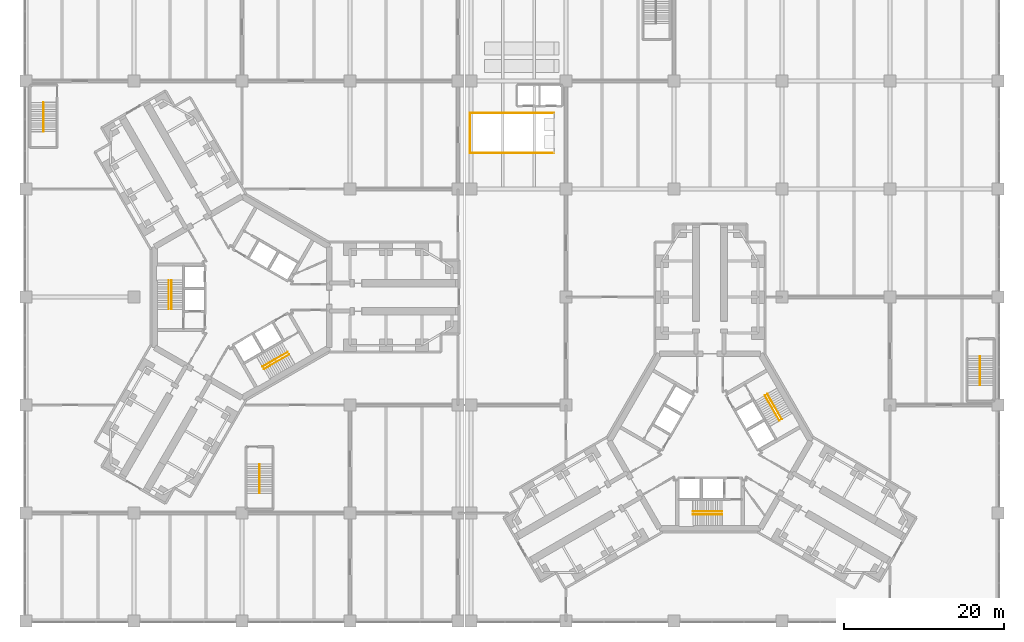
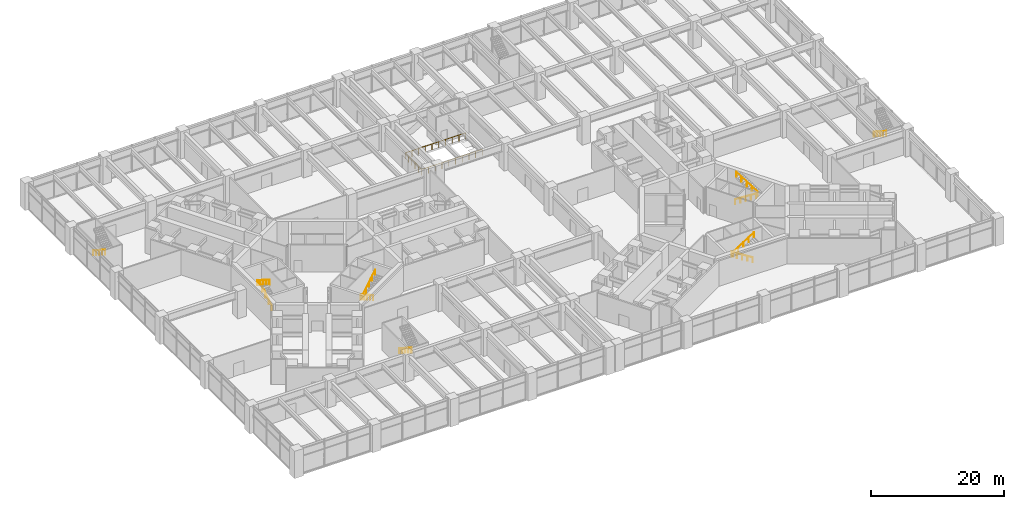
# One storey, part 30 of 32: 12 railings.
"""IFC4 building model written with IfcOpenShell, lengths in metres."""

from ifc_helpers import new_model, si_unit, direction, frame, origin, origin_2d, place, context, subcontext, project, spatial, circle, extrude, material, type_object, element, save


model = new_model("IFC4")

# Units and contexts
model_context = context("Model", 3, precision=1e-05, world=origin(), true_north=direction((0.0, 1.0)))
body_context = subcontext(model_context, "Body", "Model", "MODEL_VIEW")
ifc_project = project(units=[si_unit("LENGTHUNIT", "METRE"), si_unit("AREAUNIT", "SQUARE_METRE"), si_unit("VOLUMEUNIT", "CUBIC_METRE"), si_unit("PLANEANGLEUNIT", "RADIAN"), si_unit("MASSUNIT", "GRAM", prefix="KILO")], contexts=[model_context])

# Site, building, storey
site_placement = place(None, origin())
site = spatial("IfcSite", under=ifc_project, at=site_placement, CompositionType="ELEMENT")
building_placement = place(site_placement, origin())
building = spatial("IfcBuilding", under=site, at=building_placement, Name="Upepo Twin Towers", CompositionType="ELEMENT")
storey_placement = place(building_placement, frame((0.0, 0.0, 5.5)))
storey = spatial("IfcBuildingStorey", under=building, at=storey_placement, Name="L01", CompositionType="ELEMENT", Elevation=5.5)

# Railings
ifc_material_1 = material(Name="Stainless steel and glass", Category="steel")
railing_type_1 = type_object("IfcRailingType", Name="Guard 1100", PredefinedType="GUARDRAIL", material=ifc_material_1)
railing_1_placement = place(storey_placement, frame((39.0, 18.0, 0.0)))
element("IfcRailing", 1, at=railing_1_placement, inside=storey, type_object=railing_type_1, Name="Escalator well guard L01", PredefinedType="GUARDRAIL", context=body_context, shape_type="SweptSolid", body=[
    extrude(circle(Radius=0.02392578125, at=origin_2d()), frame((0.0, 0.0, 1.076171875), z_axis=(-1.0, 0.0, 0.0), x_axis=(0.0, -1.0, 0.0)), (0.0, 0.0, 1.0), 10.5),
    extrude(circle(Radius=0.02392578125, at=origin_2d()), frame((-10.5, 0.0, 1.076171875), z_axis=(0.0, 1.0, 0.0), x_axis=(-1.0, 0.0, 0.0)), (0.0, 0.0, 1.0), 5.0),
    extrude(circle(Radius=0.02392578125, at=origin_2d()), frame((-10.5, 5.0, 1.076171875), z_axis=(1.0, 0.0, 0.0), x_axis=(0.0, 1.0, 0.0)), (0.0, 0.0, 1.0), 10.5),
    extrude(circle(Radius=0.02099609375, at=origin_2d()), origin(), (0.0, 0.0, 1.0), 1.052001953125),
    extrude(circle(Radius=0.02099609375, at=origin_2d()), frame((-1.166748046875, 0.0, 0.0)), (0.0, 0.0, 1.0), 1.052001953125),
    extrude(circle(Radius=0.02099609375, at=origin_2d()), frame((-2.333251953125, 0.0, 0.0)), (0.0, 0.0, 1.0), 1.052001953125),
    extrude(circle(Radius=0.02099609375, at=origin_2d()), frame((-3.5, 0.0, 0.0)), (0.0, 0.0, 1.0), 1.052001953125),
    extrude(circle(Radius=0.02099609375, at=origin_2d()), frame((-4.666748046875, 0.0, 0.0)), (0.0, 0.0, 1.0), 1.052001953125),
    extrude(circle(Radius=0.02099609375, at=origin_2d()), frame((-5.833251953125, 0.0, 0.0)), (0.0, 0.0, 1.0), 1.052001953125),
    extrude(circle(Radius=0.02099609375, at=origin_2d()), frame((-7.0, 0.0, 0.0)), (0.0, 0.0, 1.0), 1.052001953125),
    extrude(circle(Radius=0.02099609375, at=origin_2d()), frame((-8.166748046875, 0.0, 0.0)), (0.0, 0.0, 1.0), 1.052001953125),
    extrude(circle(Radius=0.02099609375, at=origin_2d()), frame((-9.333251953125, 0.0, 0.0)), (0.0, 0.0, 1.0), 1.052001953125),
    extrude(circle(Radius=0.02099609375, at=origin_2d()), frame((-10.5, 0.0, 0.0)), (0.0, 0.0, 1.0), 1.052001953125),
    extrude(circle(Radius=0.02099609375, at=origin_2d()), frame((-10.5, 1.0, 0.0)), (0.0, 0.0, 1.0), 1.052001953125),
    extrude(circle(Radius=0.02099609375, at=origin_2d()), frame((-10.5, 2.0, 0.0)), (0.0, 0.0, 1.0), 1.052001953125),
    extrude(circle(Radius=0.02099609375, at=origin_2d()), frame((-10.5, 3.0, 0.0)), (0.0, 0.0, 1.0), 1.052001953125),
    extrude(circle(Radius=0.02099609375, at=origin_2d()), frame((-10.5, 4.0, 0.0)), (0.0, 0.0, 1.0), 1.052001953125),
    extrude(circle(Radius=0.02099609375, at=origin_2d()), frame((-10.5, 5.0, 0.0)), (0.0, 0.0, 1.0), 1.052001953125),
    extrude(circle(Radius=0.02099609375, at=origin_2d()), frame((-9.333251953125, 5.0, 0.0)), (0.0, 0.0, 1.0), 1.052001953125),
    extrude(circle(Radius=0.02099609375, at=origin_2d()), frame((-8.166748046875, 5.0, 0.0)), (0.0, 0.0, 1.0), 1.052001953125),
    extrude(circle(Radius=0.02099609375, at=origin_2d()), frame((-7.0, 5.0, 0.0)), (0.0, 0.0, 1.0), 1.052001953125),
    extrude(circle(Radius=0.02099609375, at=origin_2d()), frame((-5.833251953125, 5.0, 0.0)), (0.0, 0.0, 1.0), 1.052001953125),
    extrude(circle(Radius=0.02099609375, at=origin_2d()), frame((-4.666748046875, 5.0, 0.0)), (0.0, 0.0, 1.0), 1.052001953125),
    extrude(circle(Radius=0.02099609375, at=origin_2d()), frame((-3.5, 5.0, 0.0)), (0.0, 0.0, 1.0), 1.052001953125),
    extrude(circle(Radius=0.02099609375, at=origin_2d()), frame((-2.333251953125, 5.0, 0.0)), (0.0, 0.0, 1.0), 1.052001953125),
    extrude(circle(Radius=0.02099609375, at=origin_2d()), frame((-1.166748046875, 5.0, 0.0)), (0.0, 0.0, 1.0), 1.052001953125),
    extrude(circle(Radius=0.02099609375, at=origin_2d()), frame((0.0, 5.0, 0.0)), (0.0, 0.0, 1.0), 1.052001953125),
])
ifc_material_2 = material(Name="Stainless steel", Category="steel")
railing_type_2 = type_object("IfcRailingType", Name="Stair handrail 900", PredefinedType="HANDRAIL", material=ifc_material_2)
railing_2_placement = place(storey_placement, frame((-8.800048828125, -1.52001953125, 0.178466796875)))
element("IfcRailing", 2, at=railing_2_placement, inside=storey, type_object=railing_type_2, Name="T1 stair S1 L01 handrail 1", PredefinedType="HANDRAIL", context=body_context, shape_type="SweptSolid", body=[
    extrude(circle(Radius=0.02392578125, at=origin_2d()), frame((0.0, 0.0, 0.8759765625), z_axis=(0.0, 0.843127859045, 0.537713132908), x_axis=(-1.0, 0.0, 0.0)), (0.0, 0.0, 1.0), 4.3173828125),
    extrude(circle(Radius=0.02099609375, at=origin_2d()), origin(), (0.0, 0.0, 1.0), 0.851806640625),
    extrude(circle(Radius=0.02099609375, at=origin_2d()), frame((0.0, 0.91015625, 0.580322265625)), (0.0, 0.0, 1.0), 0.851806640625),
    extrude(circle(Radius=0.02099609375, at=origin_2d()), frame((0.0, 1.820068359375, 1.16064453125)), (0.0, 0.0, 1.0), 0.851806640625),
    extrude(circle(Radius=0.02099609375, at=origin_2d()), frame((0.0, 2.72998046875, 1.7412109375)), (0.0, 0.0, 1.0), 0.851806640625),
    extrude(circle(Radius=0.02099609375, at=origin_2d()), frame((0.0, 3.64013671875, 2.321533203125)), (0.0, 0.0, 1.0), 0.851806640625),
])
railing_3_placement = place(storey_placement, frame((-9.158447265625, 2.1201171875, 2.678466796875)))
element("IfcRailing", 3, at=railing_3_placement, inside=storey, type_object=railing_type_2, Name="T1 stair S1 L01 handrail 2", PredefinedType="HANDRAIL", context=body_context, shape_type="SweptSolid", body=[
    extrude(circle(Radius=0.02392578125, at=origin_2d()), frame((0.0, 0.0, 0.8759765625), z_axis=(0.0, -0.843127859045, 0.537713132908), x_axis=(1.0, 0.0, 0.0)), (0.0, 0.0, 1.0), 4.3173828125),
    extrude(circle(Radius=0.02099609375, at=origin_2d()), origin(), (0.0, 0.0, 1.0), 0.851806640625),
    extrude(circle(Radius=0.02099609375, at=origin_2d()), frame((0.0, -0.91015625, 0.580322265625)), (0.0, 0.0, 1.0), 0.851806640625),
    extrude(circle(Radius=0.02099609375, at=origin_2d()), frame((0.0, -1.820068359375, 1.16064453125)), (0.0, 0.0, 1.0), 0.851806640625),
    extrude(circle(Radius=0.02099609375, at=origin_2d()), frame((0.0, -2.72998046875, 1.7412109375)), (0.0, 0.0, 1.0), 0.851806640625),
    extrude(circle(Radius=0.02099609375, at=origin_2d()), frame((0.0, -3.64013671875, 2.321533203125)), (0.0, 0.0, 1.0), 0.851806640625),
])
railing_4_placement = place(storey_placement, frame((5.71630859375, -6.861083984375, 0.178466796875)))
element("IfcRailing", 4, at=railing_4_placement, inside=storey, type_object=railing_type_2, Name="T1 stair S2 L01 handrail 1", PredefinedType="HANDRAIL", context=body_context, shape_type="SweptSolid", body=[
    extrude(circle(Radius=0.02392578125, at=origin_2d()), frame((0.0, 0.0, 0.8759765625), z_axis=(-0.730175966949, -0.421525066422, 0.537735693132), x_axis=(0.499962438169, -0.866047089031, 0.0)), (0.0, 0.0, 1.0), 4.317138671875),
    extrude(circle(Radius=0.02099609375, at=origin_2d()), origin(), (0.0, 0.0, 1.0), 0.851806640625),
    extrude(circle(Radius=0.02099609375, at=origin_2d()), frame((-0.7880859375, -0.455078125, 0.580322265625)), (0.0, 0.0, 1.0), 0.851806640625),
    extrude(circle(Radius=0.02099609375, at=origin_2d()), frame((-1.576171875, -0.909912109375, 1.16064453125)), (0.0, 0.0, 1.0), 0.851806640625),
    extrude(circle(Radius=0.02099609375, at=origin_2d()), frame((-2.3642578125, -1.36474609375, 1.7412109375)), (0.0, 0.0, 1.0), 0.851806640625),
    extrude(circle(Radius=0.02099609375, at=origin_2d()), frame((-3.15234375, -1.81982421875, 2.321533203125)), (0.0, 0.0, 1.0), 0.851806640625),
])
railing_5_placement = place(storey_placement, frame((2.7431640625, -8.991455078125, 2.678466796875)))
element("IfcRailing", 5, at=railing_5_placement, inside=storey, type_object=railing_type_2, Name="T1 stair S2 L01 handrail 2", PredefinedType="HANDRAIL", context=body_context, shape_type="SweptSolid", body=[
    extrude(circle(Radius=0.02392578125, at=origin_2d()), frame((0.0, 0.0, 0.8759765625), z_axis=(0.730158560966, 0.421571566915, 0.537722874553), x_axis=(-0.500012742938, 0.866018046521, 0.0)), (0.0, 0.0, 1.0), 4.3173828125),
    extrude(circle(Radius=0.02099609375, at=origin_2d()), origin(), (0.0, 0.0, 1.0), 0.851806640625),
    extrude(circle(Radius=0.02099609375, at=origin_2d()), frame((0.7880859375, 0.455078125, 0.580322265625)), (0.0, 0.0, 1.0), 0.851806640625),
    extrude(circle(Radius=0.02099609375, at=origin_2d()), frame((1.576171875, 0.91015625, 1.16064453125)), (0.0, 0.0, 1.0), 0.851806640625),
    extrude(circle(Radius=0.02099609375, at=origin_2d()), frame((2.3642578125, 1.364990234375, 1.7412109375)), (0.0, 0.0, 1.0), 0.851806640625),
    extrude(circle(Radius=0.02099609375, at=origin_2d()), frame((3.15234375, 1.820068359375, 2.321533203125)), (0.0, 0.0, 1.0), 0.851806640625),
])
railing_6_placement = place(storey_placement, frame((60.02001953125, -26.800048828125, 0.178466796875)))
element("IfcRailing", 6, at=railing_6_placement, inside=storey, type_object=railing_type_2, Name="T2 stair S1 L01 handrail 1", PredefinedType="HANDRAIL", context=body_context, shape_type="SweptSolid", body=[
    extrude(circle(Radius=0.02392578125, at=origin_2d()), frame((0.0, 0.0, 0.8759765625), z_axis=(-0.843127859045, 0.0, 0.537713132908), x_axis=(0.0, -1.0, 0.0)), (0.0, 0.0, 1.0), 4.3173828125),
    extrude(circle(Radius=0.02099609375, at=origin_2d()), origin(), (0.0, 0.0, 1.0), 0.851806640625),
    extrude(circle(Radius=0.02099609375, at=origin_2d()), frame((-0.91015625, 0.0, 0.580322265625)), (0.0, 0.0, 1.0), 0.851806640625),
    extrude(circle(Radius=0.02099609375, at=origin_2d()), frame((-1.820068359375, 0.0, 1.16064453125)), (0.0, 0.0, 1.0), 0.851806640625),
    extrude(circle(Radius=0.02099609375, at=origin_2d()), frame((-2.72998046875, 0.0, 1.7412109375)), (0.0, 0.0, 1.0), 0.851806640625),
    extrude(circle(Radius=0.02099609375, at=origin_2d()), frame((-3.64013671875, 0.0, 2.321533203125)), (0.0, 0.0, 1.0), 0.851806640625),
])
railing_7_placement = place(storey_placement, frame((56.3798828125, -27.158447265625, 2.678466796875)))
element("IfcRailing", 7, at=railing_7_placement, inside=storey, type_object=railing_type_2, Name="T2 stair S1 L01 handrail 2", PredefinedType="HANDRAIL", context=body_context, shape_type="SweptSolid", body=[
    extrude(circle(Radius=0.02392578125, at=origin_2d()), frame((0.0, 0.0, 0.8759765625), z_axis=(0.843127859045, 0.0, 0.537713132908), x_axis=(0.0, 1.0, 0.0)), (0.0, 0.0, 1.0), 4.3173828125),
    extrude(circle(Radius=0.02099609375, at=origin_2d()), origin(), (0.0, 0.0, 1.0), 0.851806640625),
    extrude(circle(Radius=0.02099609375, at=origin_2d()), frame((0.91015625, 0.0, 0.580322265625)), (0.0, 0.0, 1.0), 0.851806640625),
    extrude(circle(Radius=0.02099609375, at=origin_2d()), frame((1.820068359375, 0.0, 1.16064453125)), (0.0, 0.0, 1.0), 0.851806640625),
    extrude(circle(Radius=0.02099609375, at=origin_2d()), frame((2.72998046875, 0.0, 1.7412109375)), (0.0, 0.0, 1.0), 0.851806640625),
    extrude(circle(Radius=0.02099609375, at=origin_2d()), frame((3.64013671875, 0.0, 2.321533203125)), (0.0, 0.0, 1.0), 0.851806640625),
])
railing_8_placement = place(storey_placement, frame((65.361083984375, -12.28369140625, 0.178466796875)))
element("IfcRailing", 8, at=railing_8_placement, inside=storey, type_object=railing_type_2, Name="T2 stair S2 L01 handrail 1", PredefinedType="HANDRAIL", context=body_context, shape_type="SweptSolid", body=[
    extrude(circle(Radius=0.02392578125, at=origin_2d()), frame((0.0, 0.0, 0.8759765625), z_axis=(0.421525066422, -0.730175966949, 0.537735693132), x_axis=(0.866047089031, 0.499962438169, 0.0)), (0.0, 0.0, 1.0), 4.317138671875),
    extrude(circle(Radius=0.02099609375, at=origin_2d()), origin(), (0.0, 0.0, 1.0), 0.851806640625),
    extrude(circle(Radius=0.02099609375, at=origin_2d()), frame((0.455078125, -0.7880859375, 0.580322265625)), (0.0, 0.0, 1.0), 0.851806640625),
    extrude(circle(Radius=0.02099609375, at=origin_2d()), frame((0.909912109375, -1.576171875, 1.16064453125)), (0.0, 0.0, 1.0), 0.851806640625),
    extrude(circle(Radius=0.02099609375, at=origin_2d()), frame((1.36474609375, -2.3642578125, 1.7412109375)), (0.0, 0.0, 1.0), 0.851806640625),
    extrude(circle(Radius=0.02099609375, at=origin_2d()), frame((1.81982421875, -3.15234375, 2.321533203125)), (0.0, 0.0, 1.0), 0.851806640625),
])
railing_9_placement = place(storey_placement, frame((67.491455078125, -15.2568359375, 2.678466796875)))
element("IfcRailing", 9, at=railing_9_placement, inside=storey, type_object=railing_type_2, Name="T2 stair S2 L01 handrail 2", PredefinedType="HANDRAIL", context=body_context, shape_type="SweptSolid", body=[
    extrude(circle(Radius=0.02392578125, at=origin_2d()), frame((0.0, 0.0, 0.8759765625), z_axis=(-0.421571566915, 0.730158560966, 0.537722874553), x_axis=(-0.866018046521, -0.500012742938, 0.0)), (0.0, 0.0, 1.0), 4.3173828125),
    extrude(circle(Radius=0.02099609375, at=origin_2d()), origin(), (0.0, 0.0, 1.0), 0.851806640625),
    extrude(circle(Radius=0.02099609375, at=origin_2d()), frame((-0.455078125, 0.7880859375, 0.580322265625)), (0.0, 0.0, 1.0), 0.851806640625),
    extrude(circle(Radius=0.02099609375, at=origin_2d()), frame((-0.91015625, 1.576171875, 1.16064453125)), (0.0, 0.0, 1.0), 0.851806640625),
    extrude(circle(Radius=0.02099609375, at=origin_2d()), frame((-1.364990234375, 2.3642578125, 1.7412109375)), (0.0, 0.0, 1.0), 0.851806640625),
    extrude(circle(Radius=0.02099609375, at=origin_2d()), frame((-1.820068359375, 3.15234375, 2.321533203125)), (0.0, 0.0, 1.0), 0.851806640625),
])
for number, where, name in (
    (10, (-24.830078125, 24.320068359375, 0.178466796875), "Podium stair PS1 L01 handrail"),
    (11, (92.27001953125, -7.3798828125, 0.178466796875), "Podium stair PS2 L01 handrail"),
    (12, (2.169921875, -20.8798828125, 0.178466796875), "Podium stair PS3 L01 handrail"),
):
    element("IfcRailing", number, at=place(storey_placement, frame(where)), inside=storey, type_object=railing_type_2, Name=name, PredefinedType="HANDRAIL", context=body_context, shape_type="SweptSolid", body=[
        extrude(circle(Radius=0.02392578125, at=origin_2d()), frame((0.0, 0.0, 0.8759765625), z_axis=(0.0, -0.843127859045, 0.537713132908), x_axis=(1.0, 0.0, 0.0)), (0.0, 0.0, 1.0), 4.3173828125),
        extrude(circle(Radius=0.02099609375, at=origin_2d()), origin(), (0.0, 0.0, 1.0), 0.851806640625),
        extrude(circle(Radius=0.02099609375, at=origin_2d()), frame((0.0, -0.91015625, 0.580322265625)), (0.0, 0.0, 1.0), 0.851806640625),
        extrude(circle(Radius=0.02099609375, at=origin_2d()), frame((0.0, -1.820068359375, 1.16064453125)), (0.0, 0.0, 1.0), 0.851806640625),
        extrude(circle(Radius=0.02099609375, at=origin_2d()), frame((0.0, -2.72998046875, 1.7412109375)), (0.0, 0.0, 1.0), 0.851806640625),
        extrude(circle(Radius=0.02099609375, at=origin_2d()), frame((0.0, -3.64013671875, 2.321533203125)), (0.0, 0.0, 1.0), 0.851806640625),
    ])

save(model, "model.ifc")
